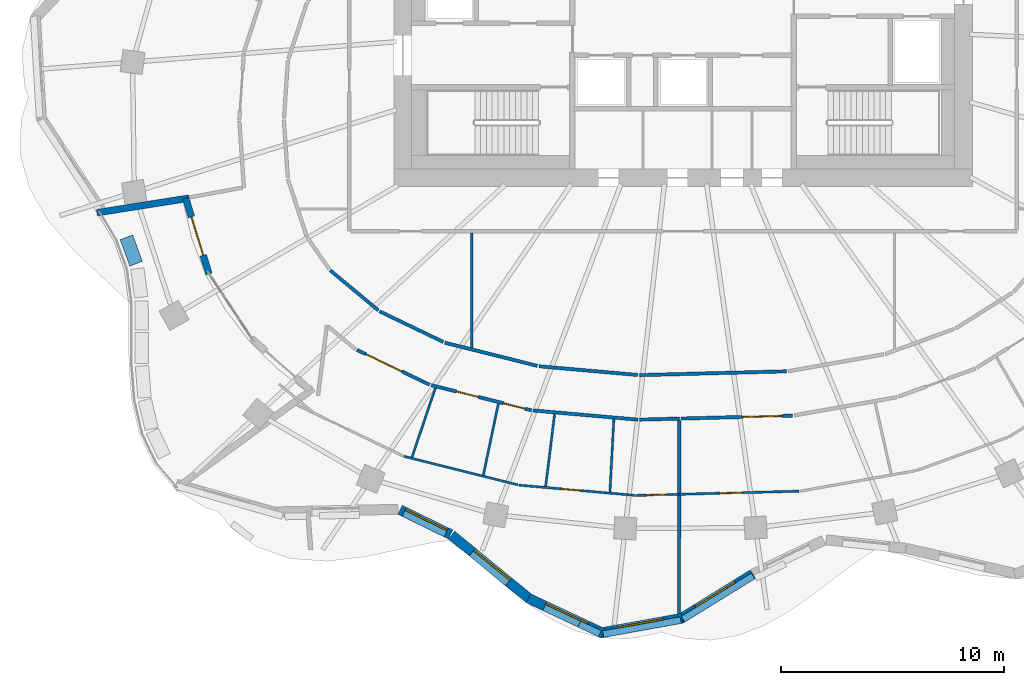
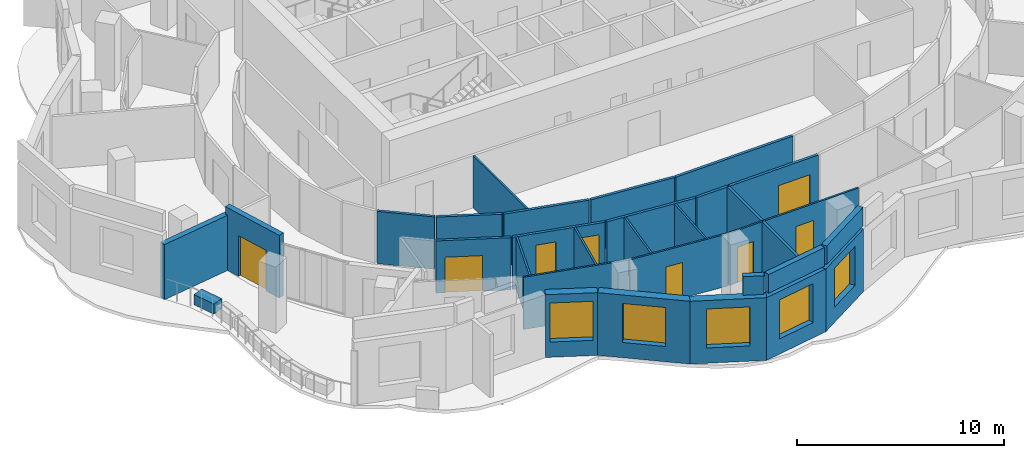
# One storey, part 5 of 13: 31 walls, 8 doors, 5 windows, 13 openings.
"""IFC4 building model written with IfcOpenShell, lengths in metres."""

from ifc_helpers import new_model, si_unit, direction, frame, frame_2d, origin, place, context, subcontext, project, spatial, rectangle, extrude, material, layer, layer_set, type_object, element, fill, save


model = new_model("IFC4")

# Units and contexts
model_context = context("Model", 3, precision=1e-05, world=origin(), true_north=direction((0.0, 1.0)))
body_context = subcontext(model_context, "Body", "Model", "MODEL_VIEW")
ifc_project = project(units=[si_unit("LENGTHUNIT", "METRE"), si_unit("AREAUNIT", "SQUARE_METRE"), si_unit("VOLUMEUNIT", "CUBIC_METRE"), si_unit("PLANEANGLEUNIT", "RADIAN"), si_unit("MASSUNIT", "GRAM", prefix="KILO")], contexts=[model_context])

# Site, building, storey
site_placement = place(None, origin())
site = spatial("IfcSite", under=ifc_project, at=site_placement, CompositionType="ELEMENT")
building_placement = place(site_placement, origin())
building = spatial("IfcBuilding", under=site, at=building_placement, Name="Rubra Terraces Tower", CompositionType="ELEMENT")
storey_placement = place(building_placement, frame((0.0, 0.0, 233.10009765625)))
storey = spatial("IfcBuildingStorey", under=building, at=storey_placement, Name="L57", CompositionType="ELEMENT", Elevation=233.10009765625)

# Wall, opening, window
ifc_material_1 = material(Name="Brick masonry red-brown", Category="masonry")
ifc_layer_1 = layer(ifc_material_1, 0.449951171875)
ifc_layer_set_1 = layer_set([ifc_layer_1], Name="Brick masonry red-brown")
wall_type_1 = type_object("IfcWallType", Name="Brick facade wall 450", PredefinedType="SOLIDWALL", material=ifc_layer_set_1)
wall_1_placement = place(storey_placement, frame((-12.718994140625, -17.52587890625, 0.0), z_axis=(0.0, 0.0, 1.0), x_axis=(0.898643806462, -0.438679050226, 0.0)))
wall_1 = element("IfcWall", 1, at=wall_1_placement, inside=storey, type_object=wall_type_1, Name="Facade wall L57 bay 27", PredefinedType="SOLIDWALL", context=body_context, shape_type="SweptSolid", body=[
    extrude(rectangle(XDim=2.5234375, YDim=0.449951171875, at=frame_2d((1.26171875, 0.0))), origin(), (0.0, 0.0, 1.0), 3.699951171875),
])
opening_1_placement = place(wall_1_placement, frame((0.2119140625, 0.0, 0.89990234375)))
opening_1 = element("IfcOpeningElement", 2, at=opening_1_placement, cuts=wall_1, Name="Opening W1B", PredefinedType="OPENING", context=body_context, shape_type="SweptSolid", body=[
    extrude(rectangle(XDim=2.10009765625, YDim=2.300048828125, at=frame_2d((1.050048828125, 1.14990234375))), frame((0.0, 0.23486328125, 0.0), z_axis=(0.0, -1.0, 0.0), x_axis=(1.0, 0.0, 0.0)), (0.0, 0.0, 1.0), 0.469970703125),
])
ifc_material_2 = material(Name="Clear glass in aluminium frame", Category="aluminium")
window_type = type_object("IfcWindowType", Name="Fixed deep-set window tall storey 2100 x 2300", PartitioningType="SINGLE_PANEL", PredefinedType="WINDOW", material=ifc_material_2)
window_1_placement = place(opening_1_placement, origin())
window_1 = element("IfcWindow", 3, at=window_1_placement, inside=storey, type_object=window_type, Name="Window L57 bay 27", OverallHeight=2.300048828125, OverallWidth=2.10009765625, PartitioningType="SINGLE_PANEL", PredefinedType="WINDOW", context=body_context, shape_type="SweptSolid", body=[
    extrude(rectangle(XDim=2.10009765625, YDim=2.300048828125, at=frame_2d((1.050048828125, 1.14990234375))), frame((0.0, 0.135009765625, 0.0), z_axis=(0.0, -1.0, 0.0), x_axis=(1.0, 0.0, 0.0)), (0.0, 0.0, 1.0), 0.06005859375),
])
fill(opening_1, window_1)

wall_2_placement = place(storey_placement, frame((-10.407470703125, -18.660888671875, 0.0), z_axis=(0.0, 0.0, 1.0), x_axis=(0.773702458947, -0.633549133864, 0.0)))
wall_2 = element("IfcWall", 4, at=wall_2_placement, inside=storey, type_object=wall_type_1, Name="Facade wall L57 bay 28", PredefinedType="SOLIDWALL", context=body_context, shape_type="SweptSolid", body=[
    extrude(rectangle(XDim=4.525634765625, YDim=0.449951171875, at=frame_2d((2.2626953125, 0.0))), origin(), (0.0, 0.0, 1.0), 3.699951171875),
])
opening_2_placement = place(wall_2_placement, frame((1.212890625, 0.0, 0.89990234375)))
opening_2 = element("IfcOpeningElement", 5, at=opening_2_placement, cuts=wall_2, Name="Opening W1B", PredefinedType="OPENING", context=body_context, shape_type="SweptSolid", body=[
    extrude(rectangle(XDim=2.10009765625, YDim=2.300048828125, at=frame_2d((1.050048828125, 1.14990234375))), frame((0.0, 0.23486328125, 0.0), z_axis=(0.0, -1.0, 0.0), x_axis=(1.0, 0.0, 0.0)), (0.0, 0.0, 1.0), 0.469970703125),
])
window_2_placement = place(opening_2_placement, origin())
window_2 = element("IfcWindow", 6, at=window_2_placement, inside=storey, type_object=window_type, Name="Window L57 bay 28", OverallHeight=2.300048828125, OverallWidth=2.10009765625, PartitioningType="SINGLE_PANEL", PredefinedType="WINDOW", context=body_context, shape_type="SweptSolid", body=[
    extrude(rectangle(XDim=2.10009765625, YDim=2.300048828125, at=frame_2d((1.050048828125, 1.14990234375))), frame((0.0, 0.135009765625, 0.0), z_axis=(0.0, -1.0, 0.0), x_axis=(1.0, 0.0, 0.0)), (0.0, 0.0, 1.0), 0.06005859375),
])
fill(opening_2, window_2)

wall_3_placement = place(storey_placement, frame((-6.952880859375, -21.49853515625, 0.0), z_axis=(0.0, 0.0, 1.0), x_axis=(0.905034581957, -0.425337989676, 0.0)))
wall_3 = element("IfcWall", 7, at=wall_3_placement, inside=storey, type_object=wall_type_1, Name="Facade wall L57 bay 29", PredefinedType="SOLIDWALL", context=body_context, shape_type="SweptSolid", body=[
    extrude(rectangle(XDim=3.71435546875, YDim=0.449951171875, at=frame_2d((1.857177734375, 0.0))), origin(), (0.0, 0.0, 1.0), 3.699951171875),
])
opening_3_placement = place(wall_3_placement, frame((0.80712890625, 0.0, 0.89990234375)))
opening_3 = element("IfcOpeningElement", 8, at=opening_3_placement, cuts=wall_3, Name="Opening W1B", PredefinedType="OPENING", context=body_context, shape_type="SweptSolid", body=[
    extrude(rectangle(XDim=2.10009765625, YDim=2.300048828125, at=frame_2d((1.050048828125, 1.14990234375))), frame((0.0, 0.23486328125, 0.0), z_axis=(0.0, -1.0, 0.0), x_axis=(1.0, 0.0, 0.0)), (0.0, 0.0, 1.0), 0.469970703125),
])
window_3_placement = place(opening_3_placement, origin())
window_3 = element("IfcWindow", 9, at=window_3_placement, inside=storey, type_object=window_type, Name="Window L57 bay 29", OverallHeight=2.300048828125, OverallWidth=2.10009765625, PartitioningType="SINGLE_PANEL", PredefinedType="WINDOW", context=body_context, shape_type="SweptSolid", body=[
    extrude(rectangle(XDim=2.10009765625, YDim=2.300048828125, at=frame_2d((1.050048828125, 1.14990234375))), frame((0.0, 0.135009765625, 0.0), z_axis=(0.0, -1.0, 0.0), x_axis=(1.0, 0.0, 0.0)), (0.0, 0.0, 1.0), 0.06005859375),
])
fill(opening_3, window_3)

wall_4_placement = place(storey_placement, frame((-3.726806640625, -23.060546875, 0.0), z_axis=(0.0, 0.0, 1.0), x_axis=(0.984119180424, 0.177508982087, 0.0)))
wall_4 = element("IfcWall", 10, at=wall_4_placement, inside=storey, type_object=wall_type_1, Name="Facade wall L57 bay 30", PredefinedType="SOLIDWALL", context=body_context, shape_type="SweptSolid", body=[
    extrude(rectangle(XDim=3.74658203125, YDim=0.449951171875, at=frame_2d((1.873291015625, 0.0))), origin(), (0.0, 0.0, 1.0), 3.699951171875),
])
opening_4_placement = place(wall_4_placement, frame((0.8232421875, 0.0, 0.89990234375)))
opening_4 = element("IfcOpeningElement", 11, at=opening_4_placement, cuts=wall_4, Name="Opening W1B", PredefinedType="OPENING", context=body_context, shape_type="SweptSolid", body=[
    extrude(rectangle(XDim=2.10009765625, YDim=2.300048828125, at=frame_2d((1.050048828125, 1.14990234375))), frame((0.0, 0.23486328125, 0.0), z_axis=(0.0, -1.0, 0.0), x_axis=(1.0, 0.0, 0.0)), (0.0, 0.0, 1.0), 0.469970703125),
])
window_4_placement = place(opening_4_placement, origin())
window_4 = element("IfcWindow", 12, at=window_4_placement, inside=storey, type_object=window_type, Name="Window L57 bay 30", OverallHeight=2.300048828125, OverallWidth=2.10009765625, PartitioningType="SINGLE_PANEL", PredefinedType="WINDOW", context=body_context, shape_type="SweptSolid", body=[
    extrude(rectangle(XDim=2.10009765625, YDim=2.300048828125, at=frame_2d((1.050048828125, 1.14990234375))), frame((0.0, 0.135009765625, 0.0), z_axis=(0.0, -1.0, 0.0), x_axis=(1.0, 0.0, 0.0)), (0.0, 0.0, 1.0), 0.06005859375),
])
fill(opening_4, window_4)

wall_5_placement = place(storey_placement, frame((-0.114990234375, -22.423583984375, 0.0), z_axis=(0.0, 0.0, 1.0), x_axis=(0.8506970368, 0.525656305564, 0.0)))
wall_5 = element("IfcWall", 13, at=wall_5_placement, inside=storey, type_object=wall_type_1, Name="Facade wall L57 bay 31", PredefinedType="SOLIDWALL", context=body_context, shape_type="SweptSolid", body=[
    extrude(rectangle(XDim=3.81640625, YDim=0.449951171875, at=frame_2d((1.908203125, 0.0))), origin(), (0.0, 0.0, 1.0), 3.699951171875),
])
opening_5_placement = place(wall_5_placement, frame((0.858154296875, 0.0, 0.89990234375)))
opening_5 = element("IfcOpeningElement", 14, at=opening_5_placement, cuts=wall_5, Name="Opening W1B", PredefinedType="OPENING", context=body_context, shape_type="SweptSolid", body=[
    extrude(rectangle(XDim=2.10009765625, YDim=2.300048828125, at=frame_2d((1.050048828125, 1.14990234375))), frame((0.0, 0.23486328125, 0.0), z_axis=(0.0, -1.0, 0.0), x_axis=(1.0, 0.0, 0.0)), (0.0, 0.0, 1.0), 0.469970703125),
])
window_5_placement = place(opening_5_placement, origin())
window_5 = element("IfcWindow", 15, at=window_5_placement, inside=storey, type_object=window_type, Name="Window L57 bay 31", OverallHeight=2.300048828125, OverallWidth=2.10009765625, PartitioningType="SINGLE_PANEL", PredefinedType="WINDOW", context=body_context, shape_type="SweptSolid", body=[
    extrude(rectangle(XDim=2.10009765625, YDim=2.300048828125, at=frame_2d((1.050048828125, 1.14990234375))), frame((0.0, 0.135009765625, 0.0), z_axis=(0.0, -1.0, 0.0), x_axis=(1.0, 0.0, 0.0)), (0.0, 0.0, 1.0), 0.06005859375),
])
fill(opening_5, window_5)

# Walls
ifc_layer_2 = layer(ifc_material_1, 0.300048828125)
ifc_layer_set_2 = layer_set([ifc_layer_2], Name="Brick masonry red-brown")
wall_type_2 = type_object("IfcWallType", Name="Brick parapet 300", PredefinedType="PARAPET", material=ifc_layer_set_2)
wall_6_placement = place(storey_placement, frame((-4.66650390625, -22.656005859375, 3.89990234375), z_axis=(0.0, 0.0, 1.0), x_axis=(0.905050240273, -0.425304670304, 0.0)))
element("IfcWall", 16, at=wall_6_placement, inside=storey, type_object=wall_type_2, Name="Parapet L57 bay 29", PredefinedType="PARAPET", context=body_context, shape_type="SweptSolid", body=[
    extrude(rectangle(XDim=1.02685546875, YDim=0.300048828125, at=frame_2d((0.513427734375, 0.0))), origin(), (0.0, 0.0, 1.0), 1.10009765625),
])
wall_7_placement = place(storey_placement, frame((-3.58984375, -23.112060546875, 3.89990234375), z_axis=(0.0, 0.0, 1.0), x_axis=(0.984124248147, 0.177480884064, 0.0)))
element("IfcWall", 17, at=wall_7_placement, inside=storey, type_object=wall_type_2, Name="Parapet L57 bay 30", PredefinedType="PARAPET", context=body_context, shape_type="SweptSolid", body=[
    extrude(rectangle(XDim=3.533935546875, YDim=0.300048828125, at=frame_2d((1.76708984375, 0.0))), origin(), (0.0, 0.0, 1.0), 1.10009765625),
])
wall_8_placement = place(storey_placement, frame((-0.0048828125, -22.443603515625, 3.89990234375), z_axis=(0.0, 0.0, 1.0), x_axis=(0.850710394144, 0.525634688063, 0.0)))
element("IfcWall", 18, at=wall_8_placement, inside=storey, type_object=wall_type_2, Name="Parapet L57 bay 31", PredefinedType="PARAPET", context=body_context, shape_type="SweptSolid", body=[
    extrude(rectangle(XDim=3.701904296875, YDim=0.300048828125, at=frame_2d((1.85107421875, 0.0))), origin(), (0.0, 0.0, 1.0), 1.10009765625),
])

# Wall, opening, door
ifc_material_3 = material(Name="Plasterboard on steel stud, mineral wool infill", Category="steel")
ifc_layer_3 = layer(ifc_material_3, 0.14990234375)
ifc_layer_set_3 = layer_set([ifc_layer_3], Name="Plasterboard on steel stud, mineral wool infill")
wall_type_3 = type_object("IfcWallType", Name="CORRIDOR PARTITION 150", PredefinedType="PARTITIONING", material=ifc_layer_set_3)
wall_9_placement = place(storey_placement, frame((-14.664306640625, -10.333984375, 0.0), z_axis=(0.0, 0.0, 1.0), x_axis=(0.901507315282, -0.432763862278, 0.0)))
wall_9 = element("IfcWall", 19, at=wall_9_placement, inside=storey, type_object=wall_type_3, Name="PARTITION", PredefinedType="PARTITIONING", context=body_context, shape_type="SweptSolid", body=[
    extrude(rectangle(XDim=3.63037109375, YDim=0.14990234375, at=frame_2d((1.815185546875, 0.0))), origin(), (0.0, 0.0, 1.0), 3.083984375),
])
opening_6_placement = place(wall_9_placement, frame((0.449951171875, 0.0, 0.0)))
opening_6 = element("IfcOpeningElement", 20, at=opening_6_placement, cuts=wall_9, Name="Opening 57-102", PredefinedType="OPENING", context=body_context, shape_type="SweptSolid", body=[
    extrude(rectangle(XDim=1.800048828125, YDim=2.10009765625, at=frame_2d((0.89990234375, 1.050048828125))), frame((0.0, 0.0849609375, 0.0), z_axis=(0.0, -1.0, 0.0), x_axis=(1.0, 0.0, 0.0)), (0.0, 0.0, 1.0), 0.169921875),
])
ifc_material_4 = material(Name="Painted timber door leaf, double", Category="wood")
door_type_1 = type_object("IfcDoorType", Name="ROOM DOUBLE DOOR 1800 X 2100", OperationType="DOUBLE_DOOR_SINGLE_SWING", PredefinedType="DOOR", material=ifc_material_4)
door_1_placement = place(opening_6_placement, origin())
door_1 = element("IfcDoor", 21, at=door_1_placement, inside=storey, type_object=door_type_1, Name="DOOR 57-102", OperationType="DOUBLE_DOOR_SINGLE_SWING", OverallHeight=2.10009765625, OverallWidth=1.800048828125, PredefinedType="DOOR", context=body_context, shape_type="SweptSolid", body=[
    extrude(rectangle(XDim=1.800048828125, YDim=2.10009765625, at=frame_2d((0.89990234375, 1.050048828125))), frame((0.0, 0.02490234375, 0.0), z_axis=(0.0, -1.0, 0.0), x_axis=(1.0, 0.0, 0.0)), (0.0, 0.0, 1.0), 0.050048828125),
])
fill(opening_6, door_1)

# Wall, openings, doors
wall_10_placement = place(storey_placement, frame((-11.318603515625, -11.923095703125, 0.0), z_axis=(0.0, 0.0, 1.0), x_axis=(0.969990815038, -0.243141561114, 0.0)))
wall_10 = element("IfcWall", 22, at=wall_10_placement, inside=storey, type_object=wall_type_3, Name="PARTITION", PredefinedType="PARTITIONING", context=body_context, shape_type="SweptSolid", body=[
    extrude(rectangle(XDim=4.64501953125, YDim=0.14990234375, at=frame_2d((2.322509765625, 0.0))), origin(), (0.0, 0.0, 1.0), 3.083984375),
])
opening_7_placement = place(wall_10_placement, frame((1.1689453125, 0.0, 0.0)))
opening_7 = element("IfcOpeningElement", 23, at=opening_7_placement, cuts=wall_10, Name="Opening 57-104", PredefinedType="OPENING", context=body_context, shape_type="SweptSolid", body=[
    extrude(rectangle(XDim=1.0, YDim=2.39990234375, at=frame_2d((0.5, 1.199951171875))), frame((0.0, 0.0849609375, 0.0), z_axis=(0.0, -1.0, 0.0), x_axis=(1.0, 0.0, 0.0)), (0.0, 0.0, 1.0), 0.169921875),
])
opening_8_placement = place(wall_10_placement, frame((3.344970703125, 0.0, 0.0)))
opening_8 = element("IfcOpeningElement", 24, at=opening_8_placement, cuts=wall_10, Name="Opening 57-105", PredefinedType="OPENING", context=body_context, shape_type="SweptSolid", body=[
    extrude(rectangle(XDim=1.0, YDim=2.39990234375, at=frame_2d((0.5, 1.199951171875))), frame((0.0, 0.0849609375, 0.0), z_axis=(0.0, -1.0, 0.0), x_axis=(1.0, 0.0, 0.0)), (0.0, 0.0, 1.0), 0.169921875),
])
ifc_material_5 = material(Name="Glazed aluminium meeting door leaf", Category="aluminium")
door_type_2 = type_object("IfcDoorType", Name="MEETING ROOM GLAZED DOOR 1000 X 2400", OperationType="SINGLE_SWING_LEFT", PredefinedType="DOOR", material=ifc_material_5)
door_2_placement = place(opening_7_placement, origin())
door_2 = element("IfcDoor", 25, at=door_2_placement, inside=storey, type_object=door_type_2, Name="DOOR 57-104", OperationType="SINGLE_SWING_RIGHT", OverallHeight=2.39990234375, OverallWidth=1.0, PredefinedType="DOOR", context=body_context, shape_type="SweptSolid", body=[
    extrude(rectangle(XDim=1.0, YDim=2.39990234375, at=frame_2d((0.5, 1.199951171875))), frame((0.0, 0.02490234375, 0.0), z_axis=(0.0, -1.0, 0.0), x_axis=(1.0, 0.0, 0.0)), (0.0, 0.0, 1.0), 0.050048828125),
])
fill(opening_7, door_2)
door_3_placement = place(opening_8_placement, origin())
door_3 = element("IfcDoor", 26, at=door_3_placement, inside=storey, type_object=door_type_2, Name="DOOR 57-105", OperationType="SINGLE_SWING_RIGHT", OverallHeight=2.39990234375, OverallWidth=1.0, PredefinedType="DOOR", context=body_context, shape_type="SweptSolid", body=[
    extrude(rectangle(XDim=1.0, YDim=2.39990234375, at=frame_2d((0.5, 1.199951171875))), frame((0.0, 0.02490234375, 0.0), z_axis=(0.0, -1.0, 0.0), x_axis=(1.0, 0.0, 0.0)), (0.0, 0.0, 1.0), 0.050048828125),
])
fill(opening_8, door_3)

# Walls
wall_11_placement = place(storey_placement, frame((-6.73828125, -13.05908203125, 0.0), z_axis=(0.0, 0.0, 1.0), x_axis=(0.996143527037, -0.087738666181, 0.0)))
element("IfcWall", 27, at=wall_11_placement, inside=storey, type_object=wall_type_3, Name="PARTITION", PredefinedType="PARTITIONING", context=body_context, shape_type="SweptSolid", body=[
    extrude(rectangle(XDim=4.73046875, YDim=0.14990234375, at=frame_2d((2.365234375, 0.0))), origin(), (0.0, 0.0, 1.0), 3.083984375),
])
wall_12_placement = place(storey_placement, frame((-1.951171875, -13.472412109375, 0.0), z_axis=(0.0, 0.0, 1.0), x_axis=(0.999660344096, 0.026061397555, 0.0)))
element("IfcWall", 28, at=wall_12_placement, inside=storey, type_object=wall_type_3, Name="PARTITION", PredefinedType="PARTITIONING", context=body_context, shape_type="SweptSolid", body=[
    extrude(rectangle(XDim=1.77978515625, YDim=0.14990234375, at=frame_2d((0.889892578125, 0.0))), origin(), (0.0, 0.0, 1.0), 3.083984375),
])

# Wall, opening, door
wall_13_placement = place(storey_placement, frame((-0.096923828125, -13.42431640625, 0.0), z_axis=(0.0, 0.0, 1.0), x_axis=(0.999663943149, 0.025922977605, 0.0)))
wall_13 = element("IfcWall", 29, at=wall_13_placement, inside=storey, type_object=wall_type_3, Name="PARTITION", PredefinedType="PARTITIONING", context=body_context, shape_type="SweptSolid", body=[
    extrude(rectangle(XDim=5.019775390625, YDim=0.14990234375, at=frame_2d((2.509765625, 0.0))), origin(), (0.0, 0.0, 1.0), 3.083984375),
])
opening_9_placement = place(wall_13_placement, frame((2.75, 0.0, 0.0)))
opening_9 = element("IfcOpeningElement", 30, at=opening_9_placement, cuts=wall_13, Name="Opening 57-108", PredefinedType="OPENING", context=body_context, shape_type="SweptSolid", body=[
    extrude(rectangle(XDim=1.800048828125, YDim=2.10009765625, at=frame_2d((0.89990234375, 1.050048828125))), frame((0.0, 0.0849609375, 0.0), z_axis=(0.0, -1.0, 0.0), x_axis=(1.0, 0.0, 0.0)), (0.0, 0.0, 1.0), 0.169921875),
])
door_4_placement = place(opening_9_placement, origin())
door_4 = element("IfcDoor", 31, at=door_4_placement, inside=storey, type_object=door_type_1, Name="DOOR 57-108", OperationType="DOUBLE_DOOR_SINGLE_SWING", OverallHeight=2.10009765625, OverallWidth=1.800048828125, PredefinedType="DOOR", context=body_context, shape_type="SweptSolid", body=[
    extrude(rectangle(XDim=1.800048828125, YDim=2.10009765625, at=frame_2d((0.89990234375, 1.050048828125))), frame((0.0, 0.02490234375, 0.0), z_axis=(0.0, -1.0, 0.0), x_axis=(1.0, 0.0, 0.0)), (0.0, 0.0, 1.0), 0.050048828125),
])
fill(opening_9, door_4)

# Walls
wall_14_placement = place(storey_placement, frame((4.64453125, -11.30078125, 0.0), z_axis=(0.0, 0.0, 1.0), x_axis=(-0.9996648469, -0.02588810291, 0.0)))
element("IfcWall", 32, at=wall_14_placement, inside=storey, type_object=wall_type_3, Name="PARTITION", PredefinedType="PARTITIONING", context=body_context, shape_type="SweptSolid", body=[
    extrude(rectangle(XDim=6.61083984375, YDim=0.14990234375, at=frame_2d((3.305419921875, 0.0))), origin(), (0.0, 0.0, 1.0), 3.083984375),
])
wall_15_placement = place(storey_placement, frame((-2.038818359375, -11.46533203125, 0.0), z_axis=(0.0, 0.0, 1.0), x_axis=(-0.996139855484, 0.087780341286, 0.0)))
element("IfcWall", 33, at=wall_15_placement, inside=storey, type_object=wall_type_3, Name="PARTITION", PredefinedType="PARTITIONING", context=body_context, shape_type="SweptSolid", body=[
    extrude(rectangle(XDim=4.458251953125, YDim=0.14990234375, at=frame_2d((2.22900390625, 0.0))), origin(), (0.0, 0.0, 1.0), 3.083984375),
])
wall_16_placement = place(storey_placement, frame((-6.552734375, -11.055908203125, 0.0), z_axis=(0.0, 0.0, 1.0), x_axis=(-0.970004917182, 0.243085294995, 0.0)))
element("IfcWall", 34, at=wall_16_placement, inside=storey, type_object=wall_type_3, Name="PARTITION", PredefinedType="PARTITIONING", context=body_context, shape_type="SweptSolid", body=[
    extrude(rectangle(XDim=4.284423828125, YDim=0.14990234375, at=frame_2d((2.14208984375, 0.0))), origin(), (0.0, 0.0, 1.0), 3.083984375),
])
wall_17_placement = place(storey_placement, frame((-10.7763671875, -9.981689453125, 0.0), z_axis=(0.0, 0.0, 1.0), x_axis=(-0.901511079436, 0.432756020933, 0.0)))
element("IfcWall", 35, at=wall_17_placement, inside=storey, type_object=wall_type_3, Name="PARTITION", PredefinedType="PARTITIONING", context=body_context, shape_type="SweptSolid", body=[
    extrude(rectangle(XDim=3.1806640625, YDim=0.14990234375, at=frame_2d((1.59033203125, 0.0))), origin(), (0.0, 0.0, 1.0), 3.083984375),
])
wall_18_placement = place(storey_placement, frame((-13.70166015625, -8.557373046875, 0.0), z_axis=(0.0, 0.0, 1.0), x_axis=(-0.769221825067, 0.638981833733, 0.0)))
element("IfcWall", 36, at=wall_18_placement, inside=storey, type_object=wall_type_3, Name="PARTITION", PredefinedType="PARTITIONING", context=body_context, shape_type="SweptSolid", body=[
    extrude(rectangle(XDim=2.8173828125, YDim=0.14990234375, at=frame_2d((1.40869140625, 0.0))), origin(), (0.0, 0.0, 1.0), 3.083984375),
])

# Wall, opening, door
ifc_material_6 = material(Name="Brick masonry with ochre lime render", Category="masonry")
ifc_layer_4 = layer(ifc_material_6, 0.300048828125)
ifc_layer_set_4 = layer_set([ifc_layer_4], Name="Brick masonry with ochre lime render")
wall_type_4 = type_object("IfcWallType", Name="Ochre rendered brick wall 300", PredefinedType="SOLIDWALL", material=ifc_layer_set_4)
wall_19_placement = place(storey_placement, frame((-22.355712890625, -3.52001953125, 0.0), z_axis=(0.0, 0.0, 1.0), x_axis=(0.293609133774, -0.955925560159, 0.0)))
wall_19 = element("IfcWall", 37, at=wall_19_placement, inside=storey, type_object=wall_type_4, Name="Terrace wall L57 bay 22", PredefinedType="SOLIDWALL", context=body_context, shape_type="SweptSolid", body=[
    extrude(rectangle(XDim=3.56298828125, YDim=0.300048828125, at=frame_2d((1.781494140625, 0.0))), origin(), (0.0, 0.0, 1.0), 3.699951171875),
])
opening_10_placement = place(wall_19_placement, frame((0.881591796875, 0.0, 0.0)))
opening_10 = element("IfcOpeningElement", 38, at=opening_10_placement, cuts=wall_19, Name="Opening T57.1", PredefinedType="OPENING", context=body_context, shape_type="SweptSolid", body=[
    extrude(rectangle(XDim=1.800048828125, YDim=2.39990234375, at=frame_2d((0.89990234375, 1.199951171875))), frame((0.0, 0.159912109375, 0.0), z_axis=(0.0, -1.0, 0.0), x_axis=(1.0, 0.0, 0.0)), (0.0, 0.0, 1.0), 0.320068359375),
])
ifc_material_7 = material(Name="Glazed aluminium door leaf", Category="aluminium")
door_type_3 = type_object("IfcDoorType", Name="Terrace double door 1800 x 2400", OperationType="DOUBLE_DOOR_DOUBLE_SWING", PredefinedType="DOOR", material=ifc_material_7)
door_5_placement = place(opening_10_placement, origin())
door_5 = element("IfcDoor", 39, at=door_5_placement, inside=storey, type_object=door_type_3, Name="Terrace door L57.1", OperationType="DOUBLE_DOOR_DOUBLE_SWING", OverallHeight=2.39990234375, OverallWidth=1.800048828125, PredefinedType="DOOR", context=body_context, shape_type="SweptSolid", body=[
    extrude(rectangle(XDim=1.800048828125, YDim=2.39990234375, at=frame_2d((0.89990234375, 1.199951171875))), frame((0.0, 0.02490234375, 0.0), z_axis=(0.0, -1.0, 0.0), x_axis=(1.0, 0.0, 0.0)), (0.0, 0.0, 1.0), 0.050048828125),
])
fill(opening_10, door_5)

# Wall
ifc_layer_5 = layer(ifc_material_6, 0.60009765625)
ifc_layer_set_5 = layer_set([ifc_layer_5], Name="Brick masonry with ochre lime render")
wall_type_5 = type_object("IfcWallType", Name="Planter box 600", PredefinedType="SOLIDWALL", material=ifc_layer_set_5)
wall_20_placement = place(storey_placement, frame((-25.02001953125, -5.27978515625, 0.0), z_axis=(0.0, 0.0, 1.0), x_axis=(0.344709570527, -0.938709386332, 0.0)))
element("IfcWall", 40, at=wall_20_placement, inside=storey, type_object=wall_type_5, Name="Planter L57.4", PredefinedType="SOLIDWALL", context=body_context, shape_type="SweptSolid", body=[
    extrude(rectangle(XDim=1.261474609375, YDim=0.60009765625, at=frame_2d((0.630859375, 0.0))), origin(), (0.0, 0.0, 1.0), 0.599853515625),
])

# Wall, opening, door
ifc_material_8 = material(Name="Plasterboard on steel stud", Category="steel")
ifc_layer_6 = layer(ifc_material_8, 0.10009765625)
ifc_layer_set_6 = layer_set([ifc_layer_6], Name="Plasterboard on steel stud")
wall_type_6 = type_object("IfcWallType", Name="ROOM PARTITION 100", PredefinedType="PARTITIONING", material=ifc_layer_set_6)
wall_21_placement = place(storey_placement, frame((-0.198486328125, -16.827880859375, 0.0), z_axis=(0.0, 0.0, 1.0), x_axis=(-0.999665012606, -0.025881703408, 0.0)))
wall_21 = element("IfcWall", 41, at=wall_21_placement, inside=storey, type_object=wall_type_6, Name="PARTITION", PredefinedType="PARTITIONING", context=body_context, shape_type="SweptSolid", body=[
    extrude(rectangle(XDim=1.933837890625, YDim=0.10009765625, at=frame_2d((0.966796875, 0.0))), origin(), (0.0, 0.0, 1.0), 3.083984375),
])
opening_11_placement = place(wall_21_placement, frame((0.550048828125, 0.0, 0.0)))
opening_11 = element("IfcOpeningElement", 42, at=opening_11_placement, cuts=wall_21, Name="Opening 57-107", PredefinedType="OPENING", context=body_context, shape_type="SweptSolid", body=[
    extrude(rectangle(XDim=0.89990234375, YDim=2.10009765625, at=frame_2d((0.449951171875, 1.050048828125))), frame((0.0, 0.06005859375, 0.0), z_axis=(0.0, -1.0, 0.0), x_axis=(1.0, 0.0, 0.0)), (0.0, 0.0, 1.0), 0.1201171875),
])
ifc_material_9 = material(Name="Painted timber door leaf", Category="wood")
door_type_4 = type_object("IfcDoorType", Name="ROOM DOOR 900 X 2100", OperationType="SINGLE_SWING_LEFT", PredefinedType="DOOR", material=ifc_material_9)
door_6_placement = place(opening_11_placement, origin())
door_6 = element("IfcDoor", 43, at=door_6_placement, inside=storey, type_object=door_type_4, Name="DOOR 57-107", OperationType="SINGLE_SWING_LEFT", OverallHeight=2.10009765625, OverallWidth=0.89990234375, PredefinedType="DOOR", context=body_context, shape_type="SweptSolid", body=[
    extrude(rectangle(XDim=0.89990234375, YDim=2.10009765625, at=frame_2d((0.449951171875, 1.050048828125))), frame((0.0, 0.02490234375, 0.0), z_axis=(0.0, -1.0, 0.0), x_axis=(1.0, 0.0, 0.0)), (0.0, 0.0, 1.0), 0.050048828125),
])
fill(opening_11, door_6)

wall_22_placement = place(storey_placement, frame((-2.181396484375, -16.87353515625, 0.0), z_axis=(0.0, 0.0, 1.0), x_axis=(-0.996143934904, 0.087734035321, 0.0)))
wall_22 = element("IfcWall", 44, at=wall_22_placement, inside=storey, type_object=wall_type_6, Name="PARTITION", PredefinedType="PARTITIONING", context=body_context, shape_type="SweptSolid", body=[
    extrude(rectangle(XDim=5.217529296875, YDim=0.10009765625, at=frame_2d((2.60888671875, 0.0))), origin(), (0.0, 0.0, 1.0), 3.083984375),
])
opening_12_placement = place(wall_22_placement, frame((2.40087890625, 0.0, 0.0)))
opening_12 = element("IfcOpeningElement", 45, at=opening_12_placement, cuts=wall_22, Name="Opening 57-106", PredefinedType="OPENING", context=body_context, shape_type="SweptSolid", body=[
    extrude(rectangle(XDim=0.89990234375, YDim=2.10009765625, at=frame_2d((0.449951171875, 1.050048828125))), frame((0.0, 0.06005859375, 0.0), z_axis=(0.0, -1.0, 0.0), x_axis=(1.0, 0.0, 0.0)), (0.0, 0.0, 1.0), 0.1201171875),
])
door_7_placement = place(opening_12_placement, origin())
door_7 = element("IfcDoor", 46, at=door_7_placement, inside=storey, type_object=door_type_4, Name="DOOR 57-106", OperationType="SINGLE_SWING_LEFT", OverallHeight=2.10009765625, OverallWidth=0.89990234375, PredefinedType="DOOR", context=body_context, shape_type="SweptSolid", body=[
    extrude(rectangle(XDim=0.89990234375, YDim=2.10009765625, at=frame_2d((0.449951171875, 1.050048828125))), frame((0.0, 0.02490234375, 0.0), z_axis=(0.0, -1.0, 0.0), x_axis=(1.0, 0.0, 0.0)), (0.0, 0.0, 1.0), 0.050048828125),
])
fill(opening_12, door_7)

# Walls
wall_23_placement = place(storey_placement, frame((-7.427490234375, -16.403564453125, 0.0), z_axis=(0.0, 0.0, 1.0), x_axis=(-0.970009158253, 0.243068370845, 0.0)))
element("IfcWall", 47, at=wall_23_placement, inside=storey, type_object=wall_type_6, Name="PARTITION", PredefinedType="PARTITIONING", context=body_context, shape_type="SweptSolid", body=[
    extrude(rectangle(XDim=5.283203125, YDim=0.10009765625, at=frame_2d((2.6416015625, 0.0))), origin(), (0.0, 0.0, 1.0), 3.083984375),
])
wall_24_placement = place(storey_placement, frame((-11.13330078125, -12.046875, 0.0), z_axis=(0.0, 0.0, 1.0), x_axis=(-0.320659756355, -0.94719444712, 0.0)))
element("IfcWall", 48, at=wall_24_placement, inside=storey, type_object=wall_type_6, Name="PARTITION", PredefinedType="PARTITIONING", context=body_context, shape_type="SweptSolid", body=[
    extrude(rectangle(XDim=3.2861328125, YDim=0.10009765625, at=frame_2d((1.64306640625, 0.0))), origin(), (0.0, 0.0, 1.0), 3.083984375),
])
wall_25_placement = place(storey_placement, frame((-8.3056640625, -12.755615234375, 0.0), z_axis=(0.0, 0.0, 1.0), x_axis=(-0.205432339041, -0.978671320759, 0.0)))
element("IfcWall", 49, at=wall_25_placement, inside=storey, type_object=wall_type_6, Name="PARTITION", PredefinedType="PARTITIONING", context=body_context, shape_type="SweptSolid", body=[
    extrude(rectangle(XDim=3.277587890625, YDim=0.10009765625, at=frame_2d((1.638671875, 0.0))), origin(), (0.0, 0.0, 1.0), 3.083984375),
])
wall_26_placement = place(storey_placement, frame((-5.775146484375, -13.218994140625, 0.0), z_axis=(0.0, 0.0, 1.0), x_axis=(-0.123512108853, -0.992343065158, 0.0)))
element("IfcWall", 50, at=wall_26_placement, inside=storey, type_object=wall_type_6, Name="PARTITION", PredefinedType="PARTITIONING", context=body_context, shape_type="SweptSolid", body=[
    extrude(rectangle(XDim=3.27734375, YDim=0.10009765625, at=frame_2d((1.638671875, 0.0))), origin(), (0.0, 0.0, 1.0), 3.083984375),
])
wall_27_placement = place(storey_placement, frame((-3.114501953125, -13.45361328125, 0.0), z_axis=(0.0, 0.0, 1.0), x_axis=(-0.053567684459, -0.99856422086, 0.0)))
element("IfcWall", 51, at=wall_27_placement, inside=storey, type_object=wall_type_6, Name="PARTITION", PredefinedType="PARTITIONING", context=body_context, shape_type="SweptSolid", body=[
    extrude(rectangle(XDim=3.27685546875, YDim=0.10009765625, at=frame_2d((1.638427734375, 0.0))), origin(), (0.0, 0.0, 1.0), 3.083984375),
])

# Wall, opening, door
wall_28_placement = place(storey_placement, frame((5.2138671875, -16.687744140625, 0.0), z_axis=(0.0, 0.0, 1.0), x_axis=(-0.999664711209, -0.025893342061, 0.0)))
wall_28 = element("IfcWall", 52, at=wall_28_placement, inside=storey, type_object=wall_type_6, Name="PARTITION", PredefinedType="PARTITIONING", context=body_context, shape_type="SweptSolid", body=[
    extrude(rectangle(XDim=5.374267578125, YDim=0.10009765625, at=frame_2d((2.68701171875, 0.0))), origin(), (0.0, 0.0, 1.0), 3.083984375),
])
opening_13_placement = place(wall_28_placement, frame((2.550048828125, 0.0, 0.0)))
opening_13 = element("IfcOpeningElement", 53, at=opening_13_placement, cuts=wall_28, Name="Opening 57-126", PredefinedType="OPENING", context=body_context, shape_type="SweptSolid", body=[
    extrude(rectangle(XDim=1.0, YDim=2.10009765625, at=frame_2d((0.5, 1.050048828125))), frame((0.0, 0.06005859375, 0.0), z_axis=(0.0, -1.0, 0.0), x_axis=(1.0, 0.0, 0.0)), (0.0, 0.0, 1.0), 0.1201171875),
])
door_type_5 = type_object("IfcDoorType", Name="ROOM DOOR 1000 X 2100", OperationType="SINGLE_SWING_LEFT", PredefinedType="DOOR", material=ifc_material_9)
door_8_placement = place(opening_13_placement, origin())
door_8 = element("IfcDoor", 54, at=door_8_placement, inside=storey, type_object=door_type_5, Name="DOOR 57-126", OperationType="SINGLE_SWING_RIGHT", OverallHeight=2.10009765625, OverallWidth=1.0, PredefinedType="DOOR", context=body_context, shape_type="SweptSolid", body=[
    extrude(rectangle(XDim=1.0, YDim=2.10009765625, at=frame_2d((0.5, 1.050048828125))), frame((0.0, 0.02490234375, 0.0), z_axis=(0.0, -1.0, 0.0), x_axis=(1.0, 0.0, 0.0)), (0.0, 0.0, 1.0), 0.050048828125),
])
fill(opening_13, door_8)

# Walls
wall_29_placement = place(storey_placement, frame((-9.5, -10.2421875, 0.0), z_axis=(0.0, 0.0, 1.0), x_axis=(0.0, 1.0, 0.0)))
element("IfcWall", 55, at=wall_29_placement, inside=storey, type_object=wall_type_6, Name="PARTITION", PredefinedType="PARTITIONING", context=body_context, shape_type="SweptSolid", body=[
    extrude(rectangle(XDim=5.167236328125, YDim=0.10009765625, at=frame_2d((2.58349609375, 0.0))), origin(), (0.0, 0.0, 1.0), 3.083984375),
])
ifc_layer_7 = layer(ifc_material_8, 0.14990234375)
ifc_layer_set_7 = layer_set([ifc_layer_7], Name="Plasterboard on steel stud")
wall_type_7 = type_object("IfcWallType", Name="ROOM PARTITION 150", PredefinedType="PARTITIONING", material=ifc_layer_set_7)
wall_30_placement = place(storey_placement, frame((-0.189208984375, -22.189697265625, 0.0), z_axis=(0.0, 0.0, 1.0), x_axis=(0.001966951348, 0.999998065549, 0.0)))
element("IfcWall", 56, at=wall_30_placement, inside=storey, type_object=wall_type_7, Name="PARTITION", PredefinedType="PARTITIONING", context=body_context, shape_type="SweptSolid", body=[
    extrude(rectangle(XDim=8.6884765625, YDim=0.14990234375, at=frame_2d((4.34423828125, 0.0))), origin(), (0.0, 0.0, 1.0), 3.083984375),
])
ifc_material_10 = material(Name="Brick masonry with rose lime render", Category="masonry")
ifc_layer_8 = layer(ifc_material_10, 0.300048828125)
ifc_layer_set_8 = layer_set([ifc_layer_8], Name="Brick masonry with rose lime render")
wall_type_8 = type_object("IfcWallType", Name="Rose rendered brick wall 300", PredefinedType="SOLIDWALL", material=ifc_layer_set_8)
wall_31_placement = place(storey_placement, frame((-26.34912109375, -4.173095703125, 0.0), z_axis=(0.0, 0.0, 1.0), x_axis=(0.987715294528, 0.156264189614, 0.0)))
element("IfcWall", 57, at=wall_31_placement, inside=storey, type_object=wall_type_8, Name="Terrace side wall L57.1", PredefinedType="SOLIDWALL", context=body_context, shape_type="SweptSolid", body=[
    extrude(rectangle(XDim=4.197998046875, YDim=0.300048828125, at=frame_2d((2.09912109375, 0.0))), origin(), (0.0, 0.0, 1.0), 3.25390625),
])

save(model, "model.ifc")
